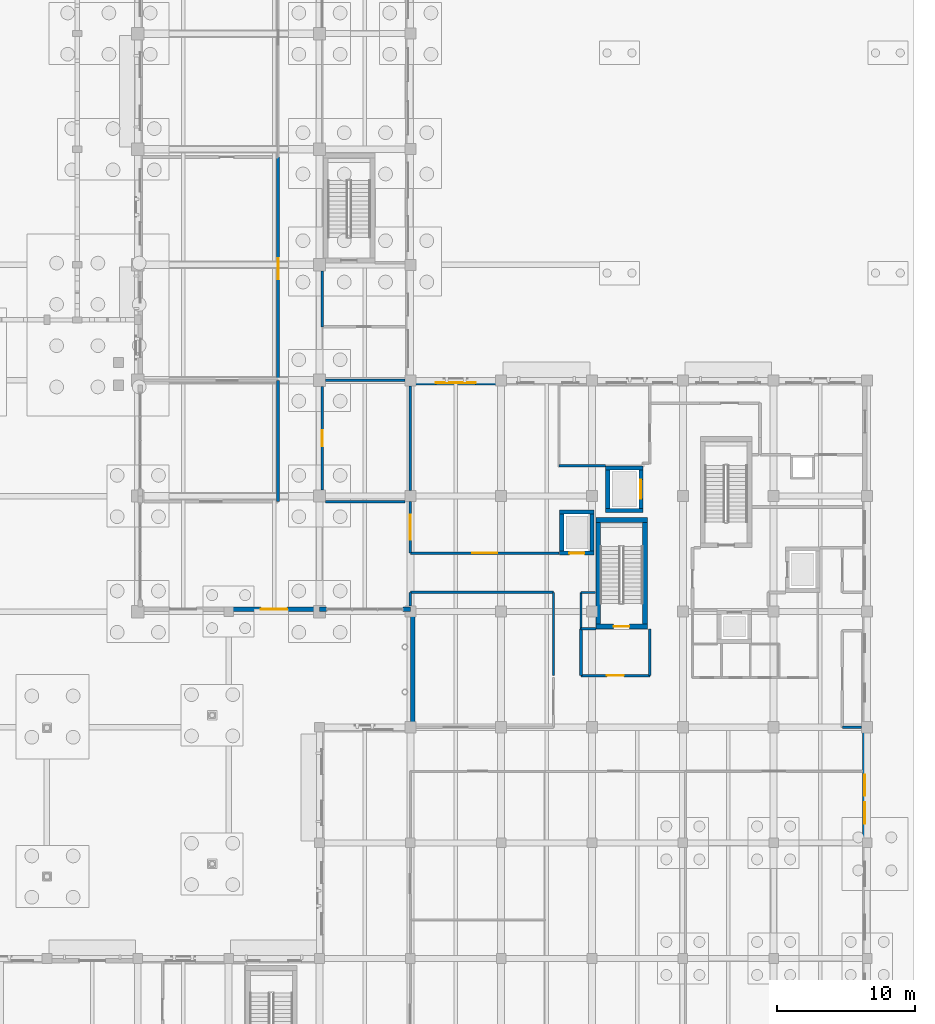
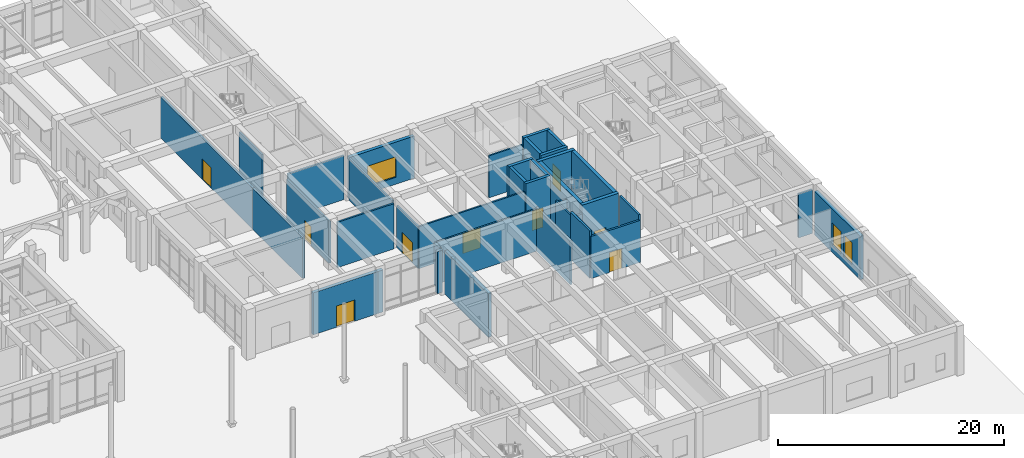
# One storey, part 61 of 82: 38 walls, 9 doors, 3 windows, 12 openings.
"""IFC4 building model written with IfcOpenShell, lengths in metres."""

from ifc_helpers import new_model, si_unit, direction, frame, frame_2d, origin, place, context, subcontext, project, spatial, rectangle, extrude, material, layer, layer_set, type_object, element, fill, save


model = new_model("IFC4")

# Units and contexts
model_context = context("Model", 3, precision=1e-05, world=origin(), true_north=direction((0.0, 1.0)))
body_context = subcontext(model_context, "Body", "Model", "MODEL_VIEW")
ifc_project = project(units=[si_unit("LENGTHUNIT", "METRE"), si_unit("AREAUNIT", "SQUARE_METRE"), si_unit("VOLUMEUNIT", "CUBIC_METRE"), si_unit("PLANEANGLEUNIT", "RADIAN"), si_unit("MASSUNIT", "GRAM", prefix="KILO")], contexts=[model_context])

# Site, building, storey
site_placement = place(None, origin())
site = spatial("IfcSite", under=ifc_project, at=site_placement, CompositionType="ELEMENT")
building_placement = place(site_placement, origin())
building = spatial("IfcBuilding", under=site, at=building_placement, Name="Kolvaren Faculty of Natural Sciences", CompositionType="ELEMENT")
storey_placement = place(building_placement, origin())
storey = spatial("IfcBuildingStorey", under=building, at=storey_placement, Name="L00", CompositionType="ELEMENT", Elevation=0.0)

# Wall, opening, door
ifc_material_1 = material(Name="Autoclaved aerated fire-rated masonry blockwork", Category="masonry")
ifc_layer_1 = layer(ifc_material_1, 0.2099609375)
ifc_layer_set_1 = layer_set([ifc_layer_1], Name="Autoclaved aerated fire-rated masonry blockwork")
wall_type_1 = type_object("IfcWallType", Name="AcousticLectureWall_210", PredefinedType="PARTITIONING", material=ifc_layer_set_1)
wall_1_placement = place(storey_placement, frame((129.199951171875, 100.424072265625, 0.0), z_axis=(0.0, 0.0, 1.0), x_axis=(0.0, -1.0, 0.0)))
wall_1 = element("IfcWall", 1, at=wall_1_placement, inside=storey, type_object=wall_type_1, Name="L00 interior partition PW-210", PredefinedType="PARTITIONING", context=body_context, shape_type="SweptSolid", body=[
    extrude(rectangle(XDim=16.22412109375, YDim=0.2099609375, at=frame_2d((8.112060546875, 0.0))), origin(), (0.0, 0.0, 1.0), 4.43505859375),
])
opening_1_placement = place(wall_1_placement, frame((7.3369140625, 0.0, 0.0)))
opening_1 = element("IfcOpeningElement", 2, at=opening_1_placement, cuts=wall_1, Name="Opening FD30-D", PredefinedType="OPENING", context=body_context, shape_type="SweptSolid", body=[
    extrude(rectangle(XDim=1.550048828125, YDim=2.199951171875, at=frame_2d((0.77490234375, 1.10009765625))), frame((0.0, 0.114990234375, 0.0), z_axis=(0.0, -1.0, 0.0), x_axis=(1.0, 0.0, 0.0)), (0.0, 0.0, 1.0), 0.22998046875),
])
ifc_material_2 = material(Name="Fire-rated solid-core hardwood door leaf in steel frame", Category="steel")
door_type_1 = type_object("IfcDoorType", Name="AssemblyDoubleFireDoor_1550x2200", OperationType="DOUBLE_DOOR_SINGLE_SWING", PredefinedType="DOOR", material=ifc_material_2)
door_1_placement = place(opening_1_placement, origin())
door_1 = element("IfcDoor", 3, at=door_1_placement, inside=storey, type_object=door_type_1, Name="D-L00-0044", OperationType="DOUBLE_DOOR_SINGLE_SWING", OverallHeight=2.199951171875, OverallWidth=1.550048828125, PredefinedType="DOOR", context=body_context, shape_type="SweptSolid", body=[
    extrude(rectangle(XDim=1.550048828125, YDim=2.199951171875, at=frame_2d((0.77490234375, 1.10009765625))), frame((0.0, 0.02490234375, 0.0), z_axis=(0.0, -1.0, 0.0), x_axis=(1.0, 0.0, 0.0)), (0.0, 0.0, 1.0), 0.050048828125),
])
fill(opening_1, door_1)

# Walls
wall_2_placement = place(storey_placement, frame((129.199951171875, 84.199951171875, 0.0), z_axis=(0.0, 0.0, 1.0), x_axis=(0.0, -1.0, 0.0)))
element("IfcWall", 4, at=wall_2_placement, inside=storey, type_object=wall_type_1, Name="L00 interior partition PW-210", PredefinedType="PARTITIONING", context=body_context, shape_type="SweptSolid", body=[
    extrude(rectangle(XDim=8.800048828125, YDim=0.2099609375, at=frame_2d((4.39990234375, 0.0))), origin(), (0.0, 0.0, 1.0), 4.43505859375),
])
ifc_material_3 = material(Name="Acoustic mineral-wool insulated gypsum partition")
ifc_layer_2 = layer(ifc_material_3, 0.159912109375)
ifc_layer_set_2 = layer_set([ifc_layer_2], Name="Acoustic mineral-wool insulated gypsum partition")
wall_type_2 = type_object("IfcWallType", Name="ClassroomPartitionWall_160", PredefinedType="PARTITIONING", material=ifc_layer_set_2)
wall_3_placement = place(storey_placement, frame((151.199951171875, 66.14990234375, 0.0), z_axis=(0.0, 0.0, 1.0), x_axis=(0.0, 1.0, 0.0)))
element("IfcWall", 5, at=wall_3_placement, inside=storey, type_object=wall_type_2, Name="L00 interior partition PW-160", PredefinedType="PARTITIONING", context=body_context, shape_type="SweptSolid", body=[
    extrude(rectangle(XDim=2.650146484375, YDim=0.159912109375, at=frame_2d((1.3251953125, 0.0))), origin(), (0.0, 0.0, 1.0), 4.735107421875),
])
wall_4_placement = place(storey_placement, frame((151.199951171875, 68.800048828125, 0.0), z_axis=(0.0, 0.0, 1.0), x_axis=(1.0, 0.0, 0.0)))
element("IfcWall", 6, at=wall_4_placement, inside=storey, type_object=wall_type_2, Name="L00 interior partition PW-160", PredefinedType="PARTITIONING", context=body_context, shape_type="SweptSolid", body=[
    extrude(rectangle(XDim=1.050048828125, YDim=0.159912109375, at=frame_2d((0.52490234375, 0.0))), origin(), (0.0, 0.0, 1.0), 4.534912109375),
])

# Wall, opening, door
wall_5_placement = place(storey_placement, frame((149.60009765625, 71.64990234375, 0.0), z_axis=(0.0, 0.0, 1.0), x_axis=(-1.0, 0.0, 0.0)))
wall_5 = element("IfcWall", 7, at=wall_5_placement, inside=storey, type_object=wall_type_2, Name="L00 interior partition PW-160", PredefinedType="PARTITIONING", context=body_context, shape_type="SweptSolid", body=[
    extrude(rectangle(XDim=10.800048828125, YDim=0.159912109375, at=frame_2d((5.39990234375, 0.0))), origin(), (0.0, 0.0, 1.0), 4.534912109375),
])
opening_2_placement = place(wall_5_placement, frame((4.489990234375, 0.0, 0.0)))
opening_2 = element("IfcOpeningElement", 8, at=opening_2_placement, cuts=wall_5, Name="Opening ID-36", PredefinedType="OPENING", context=body_context, shape_type="SweptSolid", body=[
    extrude(rectangle(XDim=1.820068359375, YDim=2.199951171875, at=frame_2d((0.91015625, 1.10009765625))), frame((0.0, 0.08984375, 0.0), z_axis=(0.0, -1.0, 0.0), x_axis=(1.0, 0.0, 0.0)), (0.0, 0.0, 1.0), 0.179931640625),
])
ifc_material_4 = material(Name="Thermally broken anodised aluminium glazed door", Category="aluminium")
door_type_2 = type_object("IfcDoorType", Name="InteriorRoomDoor_1820x2200", OperationType="DOUBLE_DOOR_SINGLE_SWING", PredefinedType="DOOR", material=ifc_material_4)
door_2_placement = place(opening_2_placement, origin())
door_2 = element("IfcDoor", 9, at=door_2_placement, inside=storey, type_object=door_type_2, Name="D-L00-0100", OperationType="DOUBLE_DOOR_SINGLE_SWING", OverallHeight=2.199951171875, OverallWidth=1.820068359375, PredefinedType="DOOR", context=body_context, shape_type="SweptSolid", body=[
    extrude(rectangle(XDim=1.820068359375, YDim=2.199951171875, at=frame_2d((0.91015625, 1.10009765625))), frame((0.0, 0.02490234375, 0.0), z_axis=(0.0, -1.0, 0.0), x_axis=(1.0, 0.0, 0.0)), (0.0, 0.0, 1.0), 0.050048828125),
])
fill(opening_2, door_2)

wall_6_placement = place(storey_placement, frame((138.800048828125, 71.64990234375, 0.0), z_axis=(0.0, 0.0, 1.0), x_axis=(0.0, 1.0, 0.0)))
wall_6 = element("IfcWall", 10, at=wall_6_placement, inside=storey, type_object=wall_type_2, Name="L00 interior partition PW-160", PredefinedType="PARTITIONING", context=body_context, shape_type="SweptSolid", body=[
    extrude(rectangle(XDim=3.75, YDim=0.159912109375, at=frame_2d((1.875, 0.0))), origin(), (0.0, 0.0, 1.0), 4.534912109375),
])
opening_3_placement = place(wall_6_placement, frame((0.965087890625, 0.0, 0.0)))
opening_3 = element("IfcOpeningElement", 11, at=opening_3_placement, cuts=wall_6, Name="Opening ID-36", PredefinedType="OPENING", context=body_context, shape_type="SweptSolid", body=[
    extrude(rectangle(XDim=1.820068359375, YDim=2.199951171875, at=frame_2d((0.91015625, 1.10009765625))), frame((0.0, 0.08984375, 0.0), z_axis=(0.0, -1.0, 0.0), x_axis=(1.0, 0.0, 0.0)), (0.0, 0.0, 1.0), 0.179931640625),
])
door_3_placement = place(opening_3_placement, origin())
door_3 = element("IfcDoor", 12, at=door_3_placement, inside=storey, type_object=door_type_2, Name="D-L00-0101", OperationType="DOUBLE_DOOR_SINGLE_SWING", OverallHeight=2.199951171875, OverallWidth=1.820068359375, PredefinedType="DOOR", context=body_context, shape_type="SweptSolid", body=[
    extrude(rectangle(XDim=1.820068359375, YDim=2.199951171875, at=frame_2d((0.91015625, 1.10009765625))), frame((0.0, 0.02490234375, 0.0), z_axis=(0.0, -1.0, 0.0), x_axis=(1.0, 0.0, 0.0)), (0.0, 0.0, 1.0), 0.050048828125),
])
fill(opening_3, door_3)

# Wall
wall_7_placement = place(storey_placement, frame((149.60009765625, 78.0, 0.0), z_axis=(0.0, 0.0, 1.0), x_axis=(1.0, 0.0, 0.0)))
element("IfcWall", 13, at=wall_7_placement, inside=storey, type_object=wall_type_2, Name="L00 interior partition PW-160", PredefinedType="PARTITIONING", context=body_context, shape_type="SweptSolid", body=[
    extrude(rectangle(XDim=3.39990234375, YDim=0.159912109375, at=frame_2d((1.699951171875, 0.0))), origin(), (0.0, 0.0, 1.0), 4.534912109375),
])

# Wall, opening, door
ifc_material_5 = material(Name="Concrete C40/50", Category="concrete")
ifc_layer_3 = layer(ifc_material_5, 0.35009765625)
ifc_layer_set_3 = layer_set([ifc_layer_3], Name="Concrete C40/50")
wall_type_3 = type_object("IfcWallType", Name="CoreShearWall_350", PredefinedType="SHEAR", material=ifc_layer_set_3)
wall_8_placement = place(storey_placement, frame((156.02490234375, 66.324951171875, 0.0), z_axis=(0.0, 0.0, 1.0), x_axis=(-1.0, 0.0, 0.0)))
wall_8 = element("IfcWall", 14, at=wall_8_placement, inside=storey, type_object=wall_type_3, Name="L00 CORE-C2 stair shear wall S", PredefinedType="SHEAR", context=body_context, shape_type="SweptSolid", body=[
    extrude(rectangle(XDim=3.75, YDim=0.35009765625, at=frame_2d((1.875, 0.0))), origin(), (0.0, 0.0, 1.0), 5.39990234375),
])
opening_4_placement = place(wall_8_placement, frame((1.300048828125, 0.0, 0.0)))
opening_4 = element("IfcOpeningElement", 15, at=opening_4_placement, cuts=wall_8, Name="Opening FD90", PredefinedType="OPENING", context=body_context, shape_type="SweptSolid", body=[
    extrude(rectangle(XDim=1.14990234375, YDim=2.14990234375, at=frame_2d((0.574951171875, 1.074951171875))), frame((0.0, 0.18505859375, 0.0), z_axis=(0.0, -1.0, 0.0), x_axis=(1.0, 0.0, 0.0)), (0.0, 0.0, 1.0), 0.3701171875),
])
door_type_3 = type_object("IfcDoorType", Name="StairCoreFireDoor_1150x2150", OperationType="NOTDEFINED", PredefinedType="DOOR", material=ifc_material_2)
door_4_placement = place(opening_4_placement, origin())
door_4 = element("IfcDoor", 16, at=door_4_placement, inside=storey, type_object=door_type_3, Name="D-ST-ST-2-L00", OperationType="SINGLE_SWING_RIGHT", OverallHeight=2.14990234375, OverallWidth=1.14990234375, PredefinedType="DOOR", context=body_context, shape_type="SweptSolid", body=[
    extrude(rectangle(XDim=1.14990234375, YDim=2.14990234375, at=frame_2d((0.574951171875, 1.074951171875))), frame((0.0, 0.02490234375, 0.0), z_axis=(0.0, -1.0, 0.0), x_axis=(1.0, 0.0, 0.0)), (0.0, 0.0, 1.0), 0.050048828125),
])
fill(opening_4, door_4)

# Walls
wall_9_placement = place(storey_placement, frame((152.27490234375, 74.050048828125, 0.0), z_axis=(0.0, 0.0, 1.0), x_axis=(1.0, 0.0, 0.0)))
element("IfcWall", 17, at=wall_9_placement, inside=storey, type_object=wall_type_3, Name="L00 CORE-C2 stair shear wall N", PredefinedType="SHEAR", context=body_context, shape_type="SweptSolid", body=[
    extrude(rectangle(XDim=3.75, YDim=0.35009765625, at=frame_2d((1.875, 0.0))), origin(), (0.0, 0.0, 1.0), 5.39990234375),
])
for number, where, z_axis, x_axis, name in (
    (18, (152.449951171875, 66.5, 0.0), (0.0, 0.0, 1.0), (0.0, 1.0, 0.0), "L00 CORE-C2 stair shear wall W"),
    (19, (155.85009765625, 66.5, 0.0), (0.0, 0.0, 1.0), (0.0, 1.0, 0.0), "L00 CORE-C2 stair shear wall E"),
):
    element("IfcWall", number, at=place(storey_placement, frame(where, z_axis=z_axis, x_axis=x_axis)), inside=storey, type_object=wall_type_3, Name=name, PredefinedType="SHEAR", context=body_context, shape_type="SweptSolid", body=[
        extrude(rectangle(XDim=7.375, YDim=0.35009765625, at=frame_2d((3.6875, 0.0))), origin(), (0.0, 0.0, 1.0), 5.39990234375),
    ])
ifc_material_6 = material(Name="Sandstone-faced insulated cavity masonry", Category="masonry")
ifc_layer_4 = layer(ifc_material_6, 0.340087890625)
ifc_layer_set_4 = layer_set([ifc_layer_4], Name="Sandstone-faced insulated cavity masonry")
wall_type_4 = type_object("IfcWallType", Name="ExteriorCavityWall_340", PredefinedType="STANDARD", material=ifc_layer_set_4)
wall_10_placement = place(storey_placement, frame((138.969970703125, 59.340087890625, 0.0), z_axis=(0.0, 0.0, 1.0), x_axis=(0.0, 1.0, 0.0)))
element("IfcWall", 20, at=wall_10_placement, inside=storey, type_object=wall_type_4, Name="L00 exterior masonry wall EW-340 (90)", PredefinedType="STANDARD", context=body_context, shape_type="SweptSolid", body=[
    extrude(rectangle(XDim=7.719970703125, YDim=0.340087890625, at=frame_2d((3.85986328125, 0.0))), origin(), (0.0, 0.0, 1.0), 4.68505859375),
])
for number, where, z_axis, x_axis, name in (
    (21, (138.800048828125, 67.570068359375, 0.0), (0.0, 0.0, 1.0), (-1.0, 0.0, 0.0), "L00 curtain-wall pier stub 91"),
    (22, (132.719970703125, 67.570068359375, 0.0), (0.0, 0.0, 1.0), (-1.0, 0.0, 0.0), "L00 curtain-wall pier stub 92"),
):
    element("IfcWall", number, at=place(storey_placement, frame(where, z_axis=z_axis, x_axis=x_axis)), inside=storey, type_object=wall_type_4, Name=name, PredefinedType="STANDARD", context=body_context, shape_type="SweptSolid", body=[
        extrude(rectangle(XDim=0.52001953125, YDim=0.340087890625, at=frame_2d((0.260009765625, 0.0))), origin(), (0.0, 0.0, 1.0), 4.534912109375),
    ])

# Wall, opening, door
wall_11_placement = place(storey_placement, frame((132.199951171875, 67.570068359375, 0.0), z_axis=(0.0, 0.0, 1.0), x_axis=(-1.0, 0.0, 0.0)))
wall_11 = element("IfcWall", 23, at=wall_11_placement, inside=storey, type_object=wall_type_4, Name="L00 exterior masonry wall EW-340 (93)", PredefinedType="STANDARD", context=body_context, shape_type="SweptSolid", body=[
    extrude(rectangle(XDim=6.599853515625, YDim=0.340087890625, at=frame_2d((3.2998046875, 0.0))), origin(), (0.0, 0.0, 1.0), 4.534912109375),
])
opening_5_placement = place(wall_11_placement, frame((2.35009765625, 0.0, 0.0)))
opening_5 = element("IfcOpeningElement", 24, at=opening_5_placement, cuts=wall_11, Name="Opening ED-02", PredefinedType="OPENING", context=body_context, shape_type="SweptSolid", body=[
    extrude(rectangle(XDim=1.89990234375, YDim=2.300048828125, at=frame_2d((0.949951171875, 1.14990234375))), frame((0.0, 0.179931640625, 0.0), z_axis=(0.0, -1.0, 0.0), x_axis=(1.0, 0.0, 0.0)), (0.0, 0.0, 1.0), 0.360107421875),
])
ifc_material_7 = material(Name="Thermally broken anodised aluminium framing", Category="aluminium")
door_type_4 = type_object("IfcDoorType", Name="PlazaExitDoubleDoor_1900x2300", OperationType="DOUBLE_DOOR_SINGLE_SWING", PredefinedType="DOOR", material=ifc_material_7)
door_5_placement = place(opening_5_placement, origin())
door_5 = element("IfcDoor", 25, at=door_5_placement, inside=storey, type_object=door_type_4, Name="D-L00-EX-10", OperationType="DOUBLE_DOOR_SINGLE_SWING", OverallHeight=2.300048828125, OverallWidth=1.89990234375, PredefinedType="DOOR", context=body_context, shape_type="SweptSolid", body=[
    extrude(rectangle(XDim=1.89990234375, YDim=2.300048828125, at=frame_2d((0.949951171875, 1.14990234375))), frame((0.0, 0.02490234375, 0.0), z_axis=(0.0, -1.0, 0.0), x_axis=(1.0, 0.0, 0.0)), (0.0, 0.0, 1.0), 0.050048828125),
])
fill(opening_5, door_5)

# Wall, opening, window
wall_12_placement = place(storey_placement, frame((138.800048828125, 84.030029296875, 0.0), z_axis=(0.0, 0.0, 1.0), x_axis=(1.0, 0.0, 0.0)))
wall_12 = element("IfcWall", 26, at=wall_12_placement, inside=storey, type_object=wall_type_4, Name="L00 exterior masonry wall EW-340 (113)", PredefinedType="STANDARD", context=body_context, shape_type="SweptSolid", body=[
    extrude(rectangle(XDim=6.599853515625, YDim=0.340087890625, at=frame_2d((3.2998046875, 0.0))), origin(), (0.0, 0.0, 1.0), 4.534912109375),
])
opening_6_placement = place(wall_12_placement, frame((1.85009765625, 0.0, 0.75)))
opening_6 = element("IfcOpeningElement", 27, at=opening_6_placement, cuts=wall_12, Name="Opening WIN-12", PredefinedType="OPENING", context=body_context, shape_type="SweptSolid", body=[
    extrude(rectangle(XDim=2.89990234375, YDim=2.199951171875, at=frame_2d((1.449951171875, 1.10009765625))), frame((0.0, 0.179931640625, 0.0), z_axis=(0.0, -1.0, 0.0), x_axis=(1.0, 0.0, 0.0)), (0.0, 0.0, 1.0), 0.360107421875),
])
ifc_material_8 = material(Name="Double low-E solar control insulated glazing", Category="glass")
window_type_1 = type_object("IfcWindowType", Name="AluWindow_WIN12_2900x2200", PartitioningType="SINGLE_PANEL", PredefinedType="WINDOW", material=ifc_material_8)
window_1_placement = place(opening_6_placement, origin())
window_1 = element("IfcWindow", 28, at=window_1_placement, inside=storey, type_object=window_type_1, Name="WIN-L00-0102", OverallHeight=2.199951171875, OverallWidth=2.89990234375, PartitioningType="SINGLE_PANEL", PredefinedType="WINDOW", context=body_context, shape_type="SweptSolid", body=[
    extrude(rectangle(XDim=2.89990234375, YDim=2.199951171875, at=frame_2d((1.449951171875, 1.10009765625))), frame((0.0, 0.030029296875, 0.0), z_axis=(0.0, -1.0, 0.0), x_axis=(1.0, 0.0, 0.0)), (0.0, 0.0, 1.0), 0.06005859375),
])
fill(opening_6, window_1)

# Wall, openings, windows
wall_13_placement = place(storey_placement, frame((171.830078125, 58.659912109375, 0.0), z_axis=(0.0, 0.0, 1.0), x_axis=(0.0, -1.0, 0.0)))
wall_13 = element("IfcWall", 29, at=wall_13_placement, inside=storey, type_object=wall_type_4, Name="L00 exterior masonry wall EW-340 (121)", PredefinedType="STANDARD", context=body_context, shape_type="SweptSolid", body=[
    extrude(rectangle(XDim=8.059814453125, YDim=0.340087890625, at=frame_2d((4.02978515625, 0.0))), origin(), (0.0, 0.0, 1.0), 4.68505859375),
])
opening_7_placement = place(wall_13_placement, frame((3.10009765625, 0.0, 0.75)))
opening_7 = element("IfcOpeningElement", 30, at=opening_7_placement, cuts=wall_13, Name="Opening WIN-20", PredefinedType="OPENING", context=body_context, shape_type="SweptSolid", body=[
    extrude(rectangle(XDim=1.550048828125, YDim=2.39990234375, at=frame_2d((0.77490234375, 1.199951171875))), frame((0.0, 0.179931640625, 0.0), z_axis=(0.0, -1.0, 0.0), x_axis=(1.0, 0.0, 0.0)), (0.0, 0.0, 1.0), 0.360107421875),
])
opening_8_placement = place(wall_13_placement, frame((5.10888671875, 0.0, 0.75)))
opening_8 = element("IfcOpeningElement", 31, at=opening_8_placement, cuts=wall_13, Name="Opening WIN-20", PredefinedType="OPENING", context=body_context, shape_type="SweptSolid", body=[
    extrude(rectangle(XDim=1.550048828125, YDim=2.39990234375, at=frame_2d((0.77490234375, 1.199951171875))), frame((0.0, 0.179931640625, 0.0), z_axis=(0.0, -1.0, 0.0), x_axis=(1.0, 0.0, 0.0)), (0.0, 0.0, 1.0), 0.360107421875),
])
window_type_2 = type_object("IfcWindowType", Name="AluWindow_WIN20_1550x2400", PartitioningType="SINGLE_PANEL", PredefinedType="WINDOW", material=ifc_material_8)
window_2_placement = place(opening_7_placement, origin())
window_2 = element("IfcWindow", 32, at=window_2_placement, inside=storey, type_object=window_type_2, Name="WIN-L00-0115", OverallHeight=2.39990234375, OverallWidth=1.550048828125, PartitioningType="SINGLE_PANEL", PredefinedType="WINDOW", context=body_context, shape_type="SweptSolid", body=[
    extrude(rectangle(XDim=1.550048828125, YDim=2.39990234375, at=frame_2d((0.77490234375, 1.199951171875))), frame((0.0, 0.030029296875, 0.0), z_axis=(0.0, -1.0, 0.0), x_axis=(1.0, 0.0, 0.0)), (0.0, 0.0, 1.0), 0.06005859375),
])
fill(opening_7, window_2)
window_3_placement = place(opening_8_placement, origin())
window_3 = element("IfcWindow", 33, at=window_3_placement, inside=storey, type_object=window_type_2, Name="WIN-L00-0116", OverallHeight=2.39990234375, OverallWidth=1.550048828125, PartitioningType="SINGLE_PANEL", PredefinedType="WINDOW", context=body_context, shape_type="SweptSolid", body=[
    extrude(rectangle(XDim=1.550048828125, YDim=2.39990234375, at=frame_2d((0.77490234375, 1.199951171875))), frame((0.0, 0.030029296875, 0.0), z_axis=(0.0, -1.0, 0.0), x_axis=(1.0, 0.0, 0.0)), (0.0, 0.0, 1.0), 0.06005859375),
])
fill(opening_8, window_3)

# Walls
ifc_layer_5 = layer(ifc_material_1, 0.199951171875)
ifc_layer_set_5 = layer_set([ifc_layer_5], Name="Autoclaved aerated fire-rated masonry blockwork")
wall_type_5 = type_object("IfcWallType", Name="FireLobbyWall_200", PredefinedType="PARTITIONING", material=ifc_layer_set_5)
wall_14_placement = place(storey_placement, frame((151.199951171875, 66.14990234375, 0.0), z_axis=(0.0, 0.0, 1.0), x_axis=(1.0, 0.0, 0.0)))
element("IfcWall", 34, at=wall_14_placement, inside=storey, type_object=wall_type_5, Name="L00 interior partition FW-200", PredefinedType="PARTITIONING", context=body_context, shape_type="SweptSolid", body=[
    extrude(rectangle(XDim=1.074951171875, YDim=0.199951171875, at=frame_2d((0.53759765625, 0.0))), origin(), (0.0, 0.0, 1.0), 4.534912109375),
])
wall_15_placement = place(storey_placement, frame((156.199951171875, 66.14990234375, 0.0), z_axis=(0.0, 0.0, 1.0), x_axis=(0.0, -1.0, 0.0)))
element("IfcWall", 35, at=wall_15_placement, inside=storey, type_object=wall_type_5, Name="L00 interior partition FW-200", PredefinedType="PARTITIONING", context=body_context, shape_type="SweptSolid", body=[
    extrude(rectangle(XDim=3.39990234375, YDim=0.199951171875, at=frame_2d((1.699951171875, 0.0))), origin(), (0.0, 0.0, 1.0), 5.094970703125),
])

# Wall, opening, door
wall_16_placement = place(storey_placement, frame((156.199951171875, 62.75, 0.0), z_axis=(0.0, 0.0, 1.0), x_axis=(-1.0, 0.0, 0.0)))
wall_16 = element("IfcWall", 36, at=wall_16_placement, inside=storey, type_object=wall_type_5, Name="L00 interior partition FW-200", PredefinedType="PARTITIONING", context=body_context, shape_type="SweptSolid", body=[
    extrude(rectangle(XDim=5.0, YDim=0.199951171875, at=frame_2d((2.5, 0.0))), origin(), (0.0, 0.0, 1.0), 4.534912109375),
])
opening_9_placement = place(wall_16_placement, frame((1.875, 0.0, 0.0)))
opening_9 = element("IfcOpeningElement", 37, at=opening_9_placement, cuts=wall_16, Name="Opening FD60", PredefinedType="OPENING", context=body_context, shape_type="SweptSolid", body=[
    extrude(rectangle(XDim=1.25, YDim=2.14990234375, at=frame_2d((0.625, 1.074951171875))), frame((0.0, 0.10986328125, 0.0), z_axis=(0.0, -1.0, 0.0), x_axis=(1.0, 0.0, 0.0)), (0.0, 0.0, 1.0), 0.219970703125),
])
door_type_5 = type_object("IfcDoorType", Name="RescueLobbyFireDoor_1250x2150", OperationType="NOTDEFINED", PredefinedType="DOOR", material=ifc_material_2)
door_6_placement = place(opening_9_placement, origin())
door_6 = element("IfcDoor", 38, at=door_6_placement, inside=storey, type_object=door_type_5, Name="D-L00-0027", OperationType="SINGLE_SWING_RIGHT", OverallHeight=2.14990234375, OverallWidth=1.25, PredefinedType="DOOR", context=body_context, shape_type="SweptSolid", body=[
    extrude(rectangle(XDim=1.25, YDim=2.14990234375, at=frame_2d((0.625, 1.074951171875))), frame((0.0, 0.02490234375, 0.0), z_axis=(0.0, -1.0, 0.0), x_axis=(1.0, 0.0, 0.0)), (0.0, 0.0, 1.0), 0.050048828125),
])
fill(opening_9, door_6)

# Wall
wall_17_placement = place(storey_placement, frame((151.199951171875, 62.75, 0.0), z_axis=(0.0, 0.0, 1.0), x_axis=(0.0, 1.0, 0.0)))
element("IfcWall", 39, at=wall_17_placement, inside=storey, type_object=wall_type_5, Name="L00 interior partition FW-200", PredefinedType="PARTITIONING", context=body_context, shape_type="SweptSolid", body=[
    extrude(rectangle(XDim=3.39990234375, YDim=0.199951171875, at=frame_2d((1.699951171875, 0.0))), origin(), (0.0, 0.0, 1.0), 5.094970703125),
])

# Wall, opening, door
ifc_layer_6 = layer(ifc_material_3, 0.18505859375)
ifc_layer_set_6 = layer_set([ifc_layer_6], Name="Acoustic mineral-wool insulated gypsum partition")
wall_type_6 = type_object("IfcWallType", Name="LabPartitionWall_185", PredefinedType="PARTITIONING", material=ifc_layer_set_6)
wall_18_placement = place(storey_placement, frame((132.39990234375, 76.25, 0.0), z_axis=(0.0, 0.0, 1.0), x_axis=(0.0, 1.0, 0.0)))
wall_18 = element("IfcWall", 40, at=wall_18_placement, inside=storey, type_object=wall_type_6, Name="L00 interior partition PW-185", PredefinedType="PARTITIONING", context=body_context, shape_type="SweptSolid", body=[
    extrude(rectangle(XDim=7.5, YDim=0.18505859375, at=frame_2d((3.75, 0.0))), origin(), (0.0, 0.0, 1.0), 4.534912109375),
])
opening_10_placement = place(wall_18_placement, frame((3.179931640625, 0.0, 0.0)))
opening_10 = element("IfcOpeningElement", 41, at=opening_10_placement, cuts=wall_18, Name="Opening ID-11", PredefinedType="OPENING", context=body_context, shape_type="SweptSolid", body=[
    extrude(rectangle(XDim=1.139892578125, YDim=2.06005859375, at=frame_2d((0.56982421875, 1.030029296875))), frame((0.0, 0.1025390625, 0.0), z_axis=(0.0, -1.0, 0.0), x_axis=(1.0, 0.0, 0.0)), (0.0, 0.0, 1.0), 0.205078125),
])
ifc_material_9 = material(Name="Solid-core hardwood veneer door leaf in steel frame", Category="steel")
door_type_6 = type_object("IfcDoorType", Name="InteriorRoomDoor_1140x2060", OperationType="NOTDEFINED", PredefinedType="DOOR", material=ifc_material_9)
door_7_placement = place(opening_10_placement, origin())
door_7 = element("IfcDoor", 42, at=door_7_placement, inside=storey, type_object=door_type_6, Name="D-L00-0066", OperationType="SINGLE_SWING_RIGHT", OverallHeight=2.06005859375, OverallWidth=1.139892578125, PredefinedType="DOOR", context=body_context, shape_type="SweptSolid", body=[
    extrude(rectangle(XDim=1.139892578125, YDim=2.06005859375, at=frame_2d((0.56982421875, 1.030029296875))), frame((0.0, 0.02490234375, 0.0), z_axis=(0.0, -1.0, 0.0), x_axis=(1.0, 0.0, 0.0)), (0.0, 0.0, 1.0), 0.050048828125),
])
fill(opening_10, door_7)

# Walls
wall_19_placement = place(storey_placement, frame((132.64990234375, 84.199951171875, 0.0), z_axis=(0.0, 0.0, 1.0), x_axis=(1.0, 0.0, 0.0)))
element("IfcWall", 43, at=wall_19_placement, inside=storey, type_object=wall_type_6, Name="L00 interior partition PW-185", PredefinedType="PARTITIONING", context=body_context, shape_type="SweptSolid", body=[
    extrude(rectangle(XDim=5.75, YDim=0.18505859375, at=frame_2d((2.875, 0.0))), origin(), (0.0, 0.0, 1.0), 4.735107421875),
])
wall_20_placement = place(storey_placement, frame((138.800048828125, 83.800048828125, 0.0), z_axis=(0.0, 0.0, 1.0), x_axis=(0.0, -1.0, 0.0)))
element("IfcWall", 44, at=wall_20_placement, inside=storey, type_object=wall_type_6, Name="L00 interior partition PW-185", PredefinedType="PARTITIONING", context=body_context, shape_type="SweptSolid", body=[
    extrude(rectangle(XDim=7.60009765625, YDim=0.18505859375, at=frame_2d((3.800048828125, 0.0))), origin(), (0.0, 0.0, 1.0), 4.534912109375),
])
wall_21_placement = place(storey_placement, frame((138.39990234375, 75.39990234375, 0.0), z_axis=(0.0, 0.0, 1.0), x_axis=(-1.0, 0.0, 0.0)))
element("IfcWall", 45, at=wall_21_placement, inside=storey, type_object=wall_type_6, Name="L00 interior partition PW-185", PredefinedType="PARTITIONING", context=body_context, shape_type="SweptSolid", body=[
    extrude(rectangle(XDim=5.75, YDim=0.18505859375, at=frame_2d((2.875, 0.0))), origin(), (0.0, 0.0, 1.0), 4.885009765625),
])
wall_22_placement = place(storey_placement, frame((171.60009765625, 59.0, 0.0), z_axis=(0.0, 0.0, 1.0), x_axis=(-1.0, 0.0, 0.0)))
element("IfcWall", 46, at=wall_22_placement, inside=storey, type_object=wall_type_6, Name="L00 interior partition PW-185", PredefinedType="PARTITIONING", context=body_context, shape_type="SweptSolid", body=[
    extrude(rectangle(XDim=1.400146484375, YDim=0.18505859375, at=frame_2d((0.7001953125, 0.0))), origin(), (0.0, 0.0, 1.0), 4.735107421875),
])
ifc_material_10 = material(Name="Double fire-rated gypsum board on 100 mm steel stud", Category="steel")
ifc_layer_7 = layer(ifc_material_10, 0.14990234375)
ifc_layer_set_7 = layer_set([ifc_layer_7], Name="Double fire-rated gypsum board on 100 mm steel stud")
wall_type_7 = type_object("IfcWallType", Name="RatedCorridorWall_150", PredefinedType="PARTITIONING", material=ifc_layer_set_7)
wall_23_placement = place(storey_placement, frame((132.39990234375, 88.10009765625, 0.0), z_axis=(0.0, 0.0, 1.0), x_axis=(0.0, 1.0, 0.0)))
element("IfcWall", 47, at=wall_23_placement, inside=storey, type_object=wall_type_7, Name="L00 interior partition LW-150", PredefinedType="PARTITIONING", context=body_context, shape_type="SweptSolid", body=[
    extrude(rectangle(XDim=4.0498046875, YDim=0.14990234375, at=frame_2d((2.02490234375, 0.0))), origin(), (0.0, 0.0, 1.0), 4.534912109375),
])
ifc_layer_8 = layer(ifc_material_3, 0.169921875)
ifc_layer_set_8 = layer_set([ifc_layer_8], Name="Acoustic mineral-wool insulated gypsum partition")
wall_type_8 = type_object("IfcWallType", Name="SeminarPartitionWall_170", PredefinedType="PARTITIONING", material=ifc_layer_set_8)
wall_24_placement = place(storey_placement, frame((149.199951171875, 68.800048828125, 0.0), z_axis=(0.0, 0.0, 1.0), x_axis=(0.0, -1.0, 0.0)))
element("IfcWall", 48, at=wall_24_placement, inside=storey, type_object=wall_type_8, Name="L00 interior partition PW-170", PredefinedType="PARTITIONING", context=body_context, shape_type="SweptSolid", body=[
    extrude(rectangle(XDim=6.050048828125, YDim=0.169921875, at=frame_2d((3.02490234375, 0.0))), origin(), (0.0, 0.0, 1.0), 4.735107421875),
])
wall_25_placement = place(storey_placement, frame((138.800048828125, 67.800048828125, 0.0), z_axis=(0.0, 0.0, 1.0), x_axis=(0.0, 1.0, 0.0)))
element("IfcWall", 49, at=wall_25_placement, inside=storey, type_object=wall_type_8, Name="L00 interior partition PW-170", PredefinedType="PARTITIONING", context=body_context, shape_type="SweptSolid", body=[
    extrude(rectangle(XDim=1.0, YDim=0.169921875, at=frame_2d((0.5, 0.0))), origin(), (0.0, 0.0, 1.0), 4.534912109375),
])
wall_26_placement = place(storey_placement, frame((138.800048828125, 68.800048828125, 0.0), z_axis=(0.0, 0.0, 1.0), x_axis=(1.0, 0.0, 0.0)))
element("IfcWall", 50, at=wall_26_placement, inside=storey, type_object=wall_type_8, Name="L00 interior partition PW-170", PredefinedType="PARTITIONING", context=body_context, shape_type="SweptSolid", body=[
    extrude(rectangle(XDim=10.39990234375, YDim=0.169921875, at=frame_2d((5.199951171875, 0.0))), origin(), (0.0, 0.0, 1.0), 4.534912109375),
])

# Wall, opening, door
ifc_layer_9 = layer(ifc_material_5, 0.300048828125)
ifc_layer_set_9 = layer_set([ifc_layer_9], Name="Concrete C40/50")
wall_type_9 = type_object("IfcWallType", Name="ShaftShearWall_300", PredefinedType="SHEAR", material=ifc_layer_set_9)
wall_27_placement = place(storey_placement, frame((149.64990234375, 71.64990234375, 0.0), z_axis=(0.0, 0.0, 1.0), x_axis=(1.0, 0.0, 0.0)))
wall_27 = element("IfcWall", 51, at=wall_27_placement, inside=storey, type_object=wall_type_9, Name="L00 lift FL-2 shaft wall S", PredefinedType="SHEAR", context=body_context, shape_type="SweptSolid", body=[
    extrude(rectangle(XDim=2.5, YDim=0.300048828125, at=frame_2d((1.25, 0.0))), origin(), (0.0, 0.0, 1.0), 5.39990234375),
])
opening_11_placement = place(wall_27_placement, frame((0.699951171875, 0.0, 0.0)))
opening_11 = element("IfcOpeningElement", 52, at=opening_11_placement, cuts=wall_27, Name="Opening LD-01", PredefinedType="OPENING", context=body_context, shape_type="SweptSolid", body=[
    extrude(rectangle(XDim=1.10009765625, YDim=2.10009765625, at=frame_2d((0.550048828125, 1.050048828125))), frame((0.0, 0.159912109375, 0.0), z_axis=(0.0, -1.0, 0.0), x_axis=(1.0, 0.0, 0.0)), (0.0, 0.0, 1.0), 0.320068359375),
])
ifc_material_11 = material(Name="Brushed stainless steel lift car and sliding door assembly", Category="steel")
door_type_7 = type_object("IfcDoorType", Name="LiftLandingSliding_1100x2100", OperationType="DOUBLE_DOOR_SLIDING", PredefinedType="DOOR", material=ifc_material_11)
door_8_placement = place(opening_11_placement, origin())
door_8 = element("IfcDoor", 53, at=door_8_placement, inside=storey, type_object=door_type_7, Name="D-LIFT-FL-2-L00", OperationType="DOUBLE_DOOR_SLIDING", OverallHeight=2.10009765625, OverallWidth=1.10009765625, PredefinedType="DOOR", context=body_context, shape_type="SweptSolid", body=[
    extrude(rectangle(XDim=1.10009765625, YDim=2.10009765625, at=frame_2d((0.550048828125, 1.050048828125))), frame((0.0, 0.02490234375, 0.0), z_axis=(0.0, -1.0, 0.0), x_axis=(1.0, 0.0, 0.0)), (0.0, 0.0, 1.0), 0.050048828125),
])
fill(opening_11, door_8)

# Walls
wall_28_placement = place(storey_placement, frame((149.64990234375, 74.64990234375, 0.0), z_axis=(0.0, 0.0, 1.0), x_axis=(1.0, 0.0, 0.0)))
element("IfcWall", 54, at=wall_28_placement, inside=storey, type_object=wall_type_9, Name="L00 lift FL-2 shaft wall N", PredefinedType="SHEAR", context=body_context, shape_type="SweptSolid", body=[
    extrude(rectangle(XDim=2.5, YDim=0.300048828125, at=frame_2d((1.25, 0.0))), origin(), (0.0, 0.0, 1.0), 5.39990234375),
])
for number, where, z_axis, x_axis, name in (
    (55, (149.800048828125, 71.800048828125, 0.0), (0.0, 0.0, 1.0), (0.0, 1.0, 0.0), "L00 lift FL-2 shaft wall W"),
    (56, (152.0, 71.800048828125, 0.0), (0.0, 0.0, 1.0), (0.0, 1.0, 0.0), "L00 lift FL-2 shaft wall E"),
    (57, (153.0, 74.75, 0.0), (0.0, 0.0, 1.0), (1.0, 0.0, 0.0), "L00 lift GL-2 shaft wall S"),
    (58, (153.0, 77.85009765625, 0.0), (0.0, 0.0, 1.0), (1.0, 0.0, 0.0), "L00 lift GL-2 shaft wall N"),
):
    element("IfcWall", number, at=place(storey_placement, frame(where, z_axis=z_axis, x_axis=x_axis)), inside=storey, type_object=wall_type_9, Name=name, PredefinedType="SHEAR", context=body_context, shape_type="SweptSolid", body=[
        extrude(rectangle(XDim=2.699951171875, YDim=0.300048828125, at=frame_2d((1.35009765625, 0.0))), origin(), (0.0, 0.0, 1.0), 5.39990234375),
    ])
wall_29_placement = place(storey_placement, frame((153.14990234375, 74.89990234375, 0.0), z_axis=(0.0, 0.0, 1.0), x_axis=(0.0, 1.0, 0.0)))
element("IfcWall", 59, at=wall_29_placement, inside=storey, type_object=wall_type_9, Name="L00 lift GL-2 shaft wall W", PredefinedType="SHEAR", context=body_context, shape_type="SweptSolid", body=[
    extrude(rectangle(XDim=2.800048828125, YDim=0.300048828125, at=frame_2d((1.39990234375, 0.0))), origin(), (0.0, 0.0, 1.0), 5.39990234375),
])

# Wall, opening, door
wall_30_placement = place(storey_placement, frame((155.550048828125, 74.89990234375, 0.0), z_axis=(0.0, 0.0, 1.0), x_axis=(0.0, 1.0, 0.0)))
wall_30 = element("IfcWall", 60, at=wall_30_placement, inside=storey, type_object=wall_type_9, Name="L00 lift GL-2 shaft wall E", PredefinedType="SHEAR", context=body_context, shape_type="SweptSolid", body=[
    extrude(rectangle(XDim=2.800048828125, YDim=0.300048828125, at=frame_2d((1.39990234375, 0.0))), origin(), (0.0, 0.0, 1.0), 5.39990234375),
])
opening_12_placement = place(wall_30_placement, frame((0.699951171875, 0.0, 0.0)))
opening_12 = element("IfcOpeningElement", 61, at=opening_12_placement, cuts=wall_30, Name="Opening LD-03", PredefinedType="OPENING", context=body_context, shape_type="SweptSolid", body=[
    extrude(rectangle(XDim=1.39990234375, YDim=2.199951171875, at=frame_2d((0.699951171875, 1.10009765625))), frame((0.0, 0.159912109375, 0.0), z_axis=(0.0, -1.0, 0.0), x_axis=(1.0, 0.0, 0.0)), (0.0, 0.0, 1.0), 0.320068359375),
])
door_type_8 = type_object("IfcDoorType", Name="GoodsLiftSliding_1400x2200", OperationType="DOUBLE_DOOR_SLIDING", PredefinedType="DOOR", material=ifc_material_11)
door_9_placement = place(opening_12_placement, origin())
door_9 = element("IfcDoor", 62, at=door_9_placement, inside=storey, type_object=door_type_8, Name="D-LIFT-GL-2-L00", OperationType="DOUBLE_DOOR_SLIDING", OverallHeight=2.199951171875, OverallWidth=1.39990234375, PredefinedType="DOOR", context=body_context, shape_type="SweptSolid", body=[
    extrude(rectangle(XDim=1.39990234375, YDim=2.199951171875, at=frame_2d((0.699951171875, 1.10009765625))), frame((0.0, 0.02490234375, 0.0), z_axis=(0.0, -1.0, 0.0), x_axis=(1.0, 0.0, 0.0)), (0.0, 0.0, 1.0), 0.050048828125),
])
fill(opening_12, door_9)

save(model, "model.ifc")
